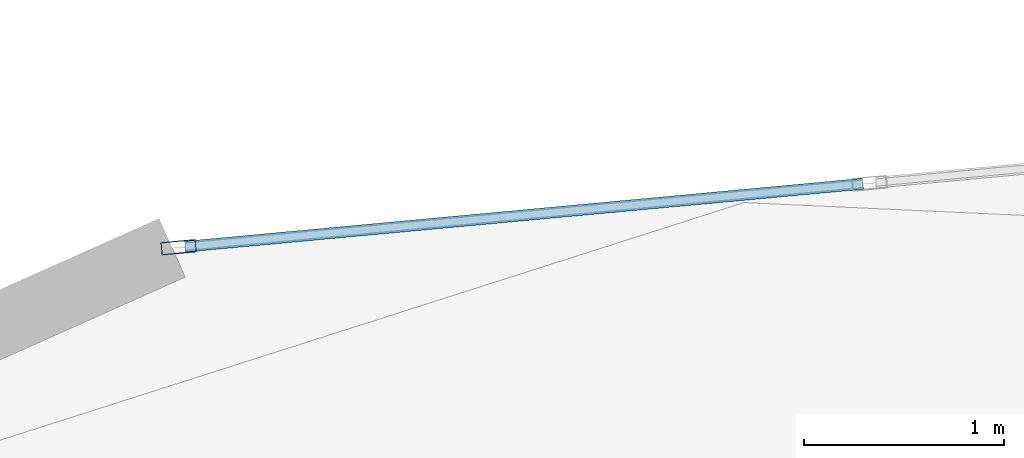
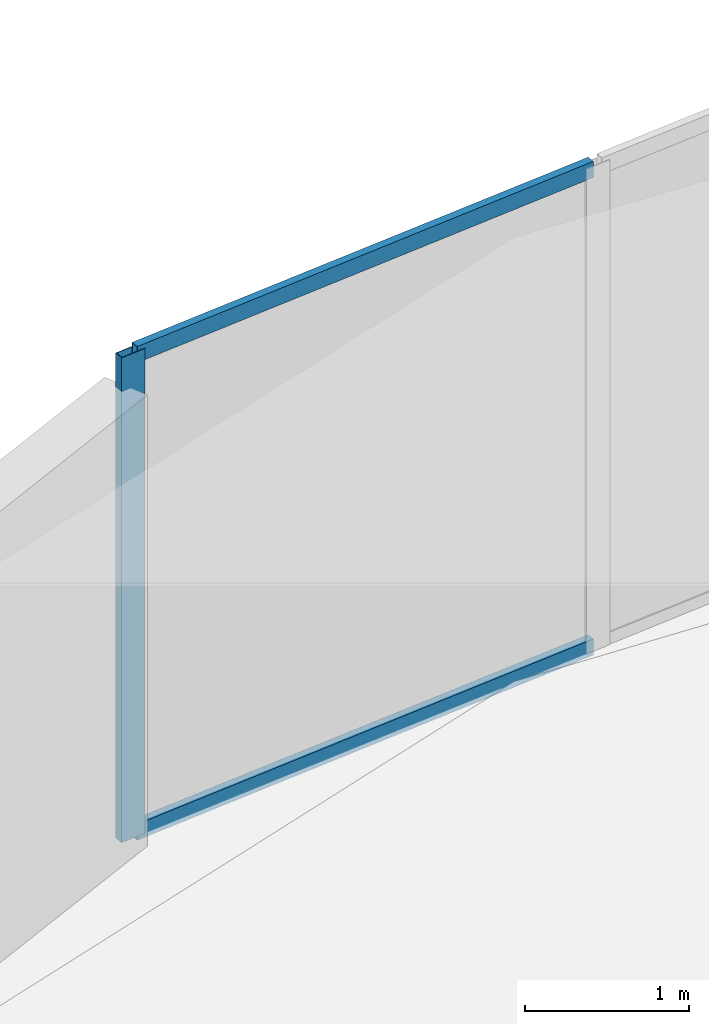
# One storey, part 16 of 25: 3 members, 1 element without a shape of its own.
"""IFC4 building model written with IfcOpenShell, lengths in metres."""

from ifc_helpers import new_model, si_unit, direction, frame, origin, origin_2d, place, context, subcontext, project, spatial, hollow_rectangle, extrude, source, transform, mapped, material, layer, layer_set, material_profile, profile_set, type_object, element, aggregate, save


model = new_model("IFC4")

# Units and contexts
model_context = context("Model", 3, precision=1e-05, world=origin(), true_north=direction((0.0, 1.0)))
body_context = subcontext(model_context, "Body", "Model", "MODEL_VIEW")
ifc_project = project(units=[si_unit("LENGTHUNIT", "METRE"), si_unit("AREAUNIT", "SQUARE_METRE"), si_unit("VOLUMEUNIT", "CUBIC_METRE"), si_unit("PLANEANGLEUNIT", "RADIAN"), si_unit("MASSUNIT", "GRAM", prefix="KILO")], contexts=[model_context])

# Site, building, storey
site_placement = place(None, origin())
site = spatial("IfcSite", under=ifc_project, at=site_placement, CompositionType="ELEMENT")
building_placement = place(site_placement, origin())
building = spatial("IfcBuilding", under=site, at=building_placement, Name="Solvirekh Grand Hotel", CompositionType="ELEMENT")
storey_placement = place(building_placement, frame((0.0, 0.0, 117.0)))
storey = spatial("IfcBuildingStorey", under=building, at=storey_placement, Name="L29", CompositionType="ELEMENT", Elevation=117.0)

# Curtain wall, members
ifc_material = material(Name="Anodized Bronze Aluminium 6063-T6", Category="aluminium")
ifc_layer = layer(ifc_material, 0.175048828125)
ifc_layer_set = layer_set([ifc_layer], Name="Anodized Bronze Aluminium 6063-T6")
curtain_wall_type = type_object("IfcCurtainWallType", Name="CW_Sys3_MidZoneFlushBronzeCW", PredefinedType="NOTDEFINED", material=ifc_layer_set)
curtain_wall_placement = place(storey_placement, origin())
curtain_wall = element("IfcCurtainWall", 1, at=curtain_wall_placement, inside=storey, type_object=curtain_wall_type, Name="L29 unitised bronze-glass curtain wall CW-L29-C08", PredefinedType="NOTDEFINED")
ifc_material_profile_1 = material_profile(ifc_material, hollow_rectangle(XDim=0.06494140625, YDim=0.175048828125, WallThickness=0.0048828125, at=origin_2d()), Name="ALU RHS 175X65X5")
ifc_profile_set_1 = profile_set([ifc_material_profile_1], Name="Anodized Bronze Aluminium 6063-T6")
member_type_1 = type_object("IfcMemberType", Name="CWMullion_Sys3", PredefinedType="MULLION", material=ifc_profile_set_1)
shared_shape_1 = source(origin(), body_context, "Body", "SweptSolid", [
    extrude(hollow_rectangle(XDim=0.06494140625, YDim=0.175048828125, WallThickness=0.0048828125, at=origin_2d()), origin(), (0.0, 0.0, 1.0), 3.60009765625),
])
member_1_placement = place(storey_placement, frame((-10.522705078125, 20.93408203125, 0.0), z_axis=(0.0, 0.0, 1.0), x_axis=(0.092418859404, -0.99572021895, 0.0)))
member_1 = element("IfcMember", 2, at=member_1_placement, type_object=member_type_1, Name="U03 mullion 3", PredefinedType="MULLION", context=body_context, shape_type="MappedRepresentation", body=[
    mapped(shared_shape_1, transform((0.0, 0.0, 0.0), x_axis=(1.0, 0.0, 0.0), y_axis=(0.0, 1.0, 0.0), z_axis=(0.0, 0.0, 1.0), scale=1.0)),
])
ifc_material_profile_2 = material_profile(ifc_material, hollow_rectangle(XDim=0.054931640625, YDim=0.1201171875, WallThickness=0.00390625, at=origin_2d()), Name="ALU RHS 120X55X4")
ifc_profile_set_2 = profile_set([ifc_material_profile_2], Name="Anodized Bronze Aluminium 6063-T6")
member_type_2 = type_object("IfcMemberType", Name="CWTransom_Sys3", PredefinedType="USERDEFINED", material=ifc_profile_set_2)
shared_shape_2 = source(origin(), body_context, "Body", "SweptSolid", [
    extrude(hollow_rectangle(XDim=0.054931640625, YDim=0.1201171875, WallThickness=0.00390625, at=origin_2d()), origin(), (0.0, 0.0, 1.0), 3.3974609375),
])
member_2_placement = place(storey_placement, frame((-7.107421875, 21.2509765625, 0.027587890625), z_axis=(-0.9957206142, -0.092414600885, 0.0), x_axis=(0.092414600885, -0.9957206142, 0.0)))
member_2 = element("IfcMember", 3, at=member_2_placement, type_object=member_type_2, Name="U03 transom 2.1", ObjectType="TRANSOM", PredefinedType="USERDEFINED", context=body_context, shape_type="MappedRepresentation", body=[
    mapped(shared_shape_2, transform((0.0, 0.0, 0.0), x_axis=(1.0, 0.0, 0.0), y_axis=(0.0, 1.0, 0.0), z_axis=(0.0, 0.0, 1.0), scale=1.0)),
])
member_3_placement = place(storey_placement, frame((-7.107421875, 21.2509765625, 3.572509765625), z_axis=(-0.9957206142, -0.092414600885, 0.0), x_axis=(0.092414600885, -0.9957206142, 0.0)))
member_3 = element("IfcMember", 4, at=member_3_placement, type_object=member_type_2, Name="U03 transom 2.2", ObjectType="TRANSOM", PredefinedType="USERDEFINED", context=body_context, shape_type="MappedRepresentation", body=[
    mapped(shared_shape_2, transform((0.0, 0.0, 0.0), x_axis=(1.0, 0.0, 0.0), y_axis=(0.0, 1.0, 0.0), z_axis=(0.0, 0.0, 1.0), scale=1.0)),
])
aggregate(curtain_wall, [member_1, member_2, member_3])

save(model, "model.ifc")
